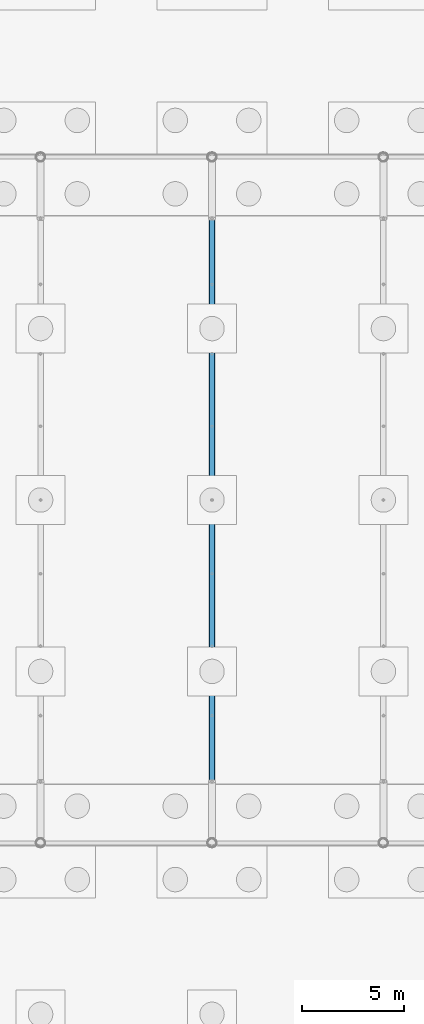
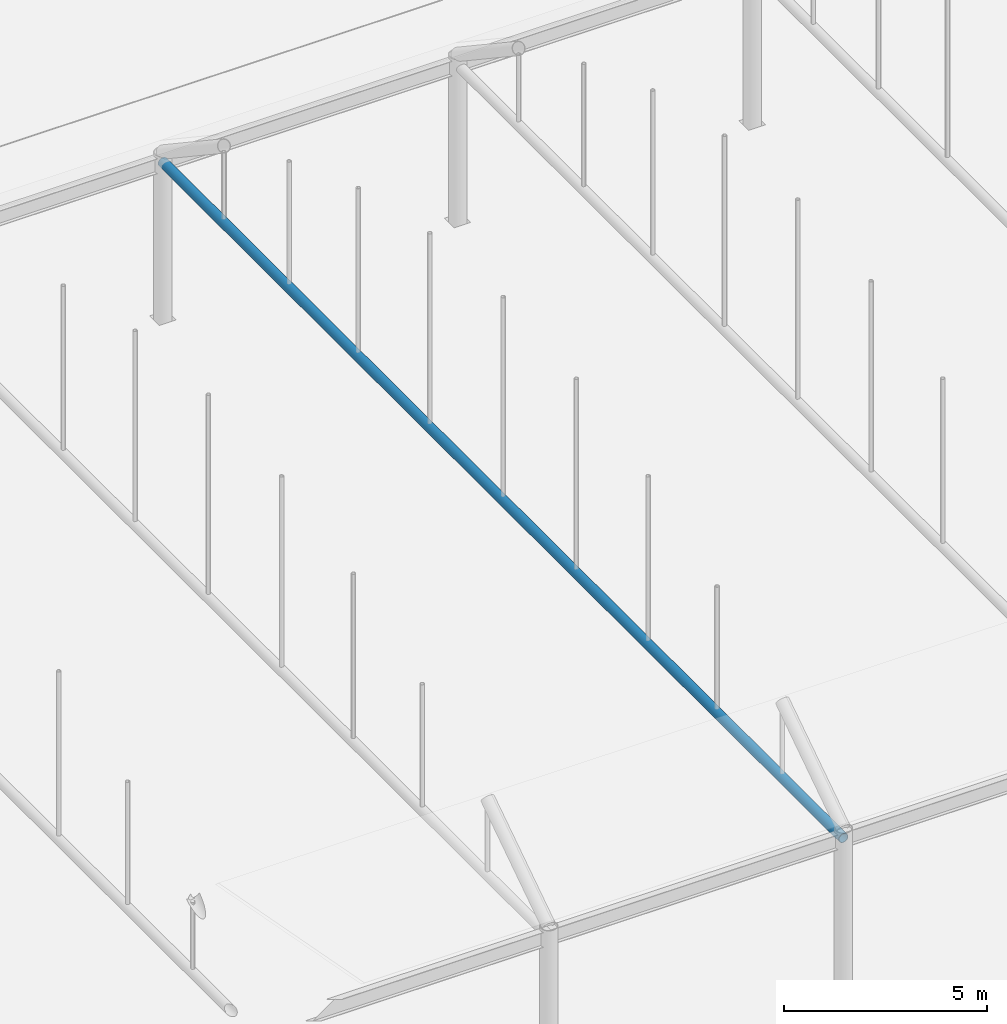
# One storey, part 51 of 212: 1 beam.
"""IFC4 building model written with IfcOpenShell, lengths in metres."""

from ifc_helpers import new_model, si_unit, direction, frame, origin, origin_2d, place, context, subcontext, project, spatial, hollow_circle, extrude, material, material_profile, profile_set, type_object, element, save


model = new_model("IFC4")

# Units and contexts
model_context = context("Model", 3, precision=1e-05, world=origin(), true_north=direction((0.0, 1.0)))
body_context = subcontext(model_context, "Body", "Model", "MODEL_VIEW")
ifc_project = project(units=[si_unit("LENGTHUNIT", "METRE"), si_unit("AREAUNIT", "SQUARE_METRE"), si_unit("VOLUMEUNIT", "CUBIC_METRE"), si_unit("PLANEANGLEUNIT", "RADIAN"), si_unit("MASSUNIT", "GRAM", prefix="KILO")], contexts=[model_context])

# Site, building, storey
site_placement = place(None, origin())
site = spatial("IfcSite", under=ifc_project, at=site_placement, CompositionType="ELEMENT")
building_placement = place(site_placement, origin())
building = spatial("IfcBuilding", under=site, at=building_placement, Name="Catenary Quay Ferry Terminal", CompositionType="ELEMENT")
storey_placement = place(building_placement, origin())
storey = spatial("IfcBuildingStorey", under=building, at=storey_placement, Name="L00", CompositionType="ELEMENT", Elevation=0.0)

# Beam
ifc_material = material(Name="Steel S355", Category="steel")
ifc_material_profile = material_profile(ifc_material, hollow_circle(Radius=0.136474609375, WallThickness=0.012451171875, at=origin_2d()), Name="CHS 273x12.5")
ifc_profile_set = profile_set([ifc_material_profile], Name="Steel S355")
beam_type = type_object("IfcBeamType", Name="TB1 CHS 273x12.5", PredefinedType="BEAM", material=ifc_profile_set)
beam_placement = place(storey_placement, frame((42.0, 16.800048828125, 4.699951171875), z_axis=(0.0, 1.0, 0.0), x_axis=(-1.0, 0.0, 0.0)))
element("IfcBeam", 1, at=beam_placement, inside=storey, type_object=beam_type, Name="tie beam CA-04", PredefinedType="BEAM", context=body_context, shape_type="SweptSolid", body=[
    extrude(hollow_circle(Radius=0.136474609375, WallThickness=0.012451171875, at=origin_2d()), origin(), (0.0, 0.0, 1.0), 33.599853515625),
])

save(model, "model.ifc")
